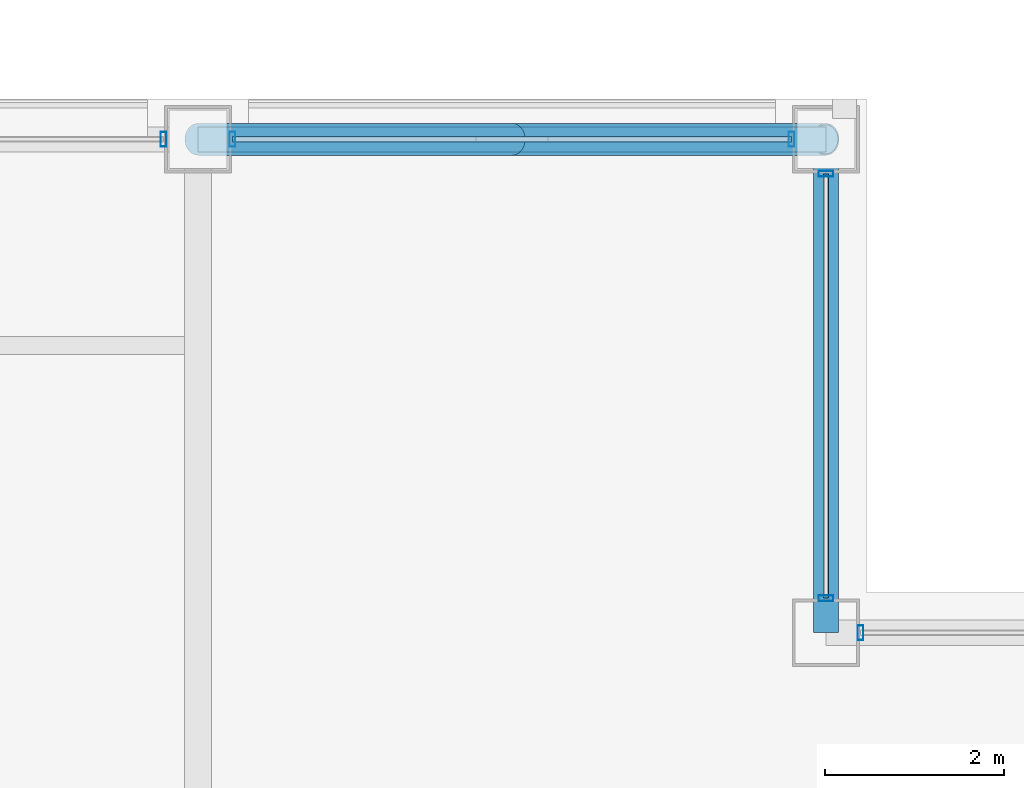
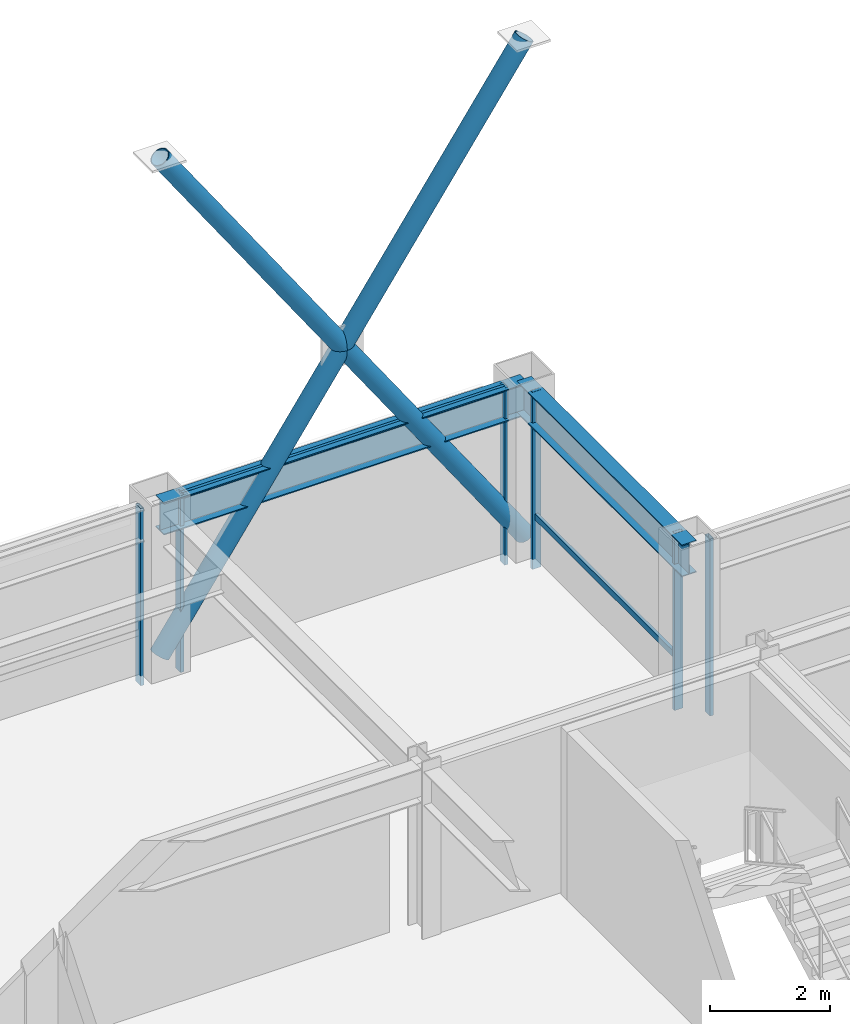
# One storey, part 23 of 32: 11 members, 2 beams, 4 elements without a shape of their own.
"""IFC4 building model written with IfcOpenShell, lengths in metres."""

import ifcopenshell
import ifcopenshell.guid

model = None  # the IFC model being written
_history = None  # IfcOwnerHistory: only IFC2X3 demands one
_inside = {}  # id of a spatial element -> (the spatial element, [elements in it])
_under = {}  # id of a project, library or spatial element -> (it, [spatial elements below it])
_declared = {}  # id of a project -> (the project, [libraries it declares])
_typed = {}  # id of a type object -> (the type object, [elements of that type])
_made_of = {}  # id of a material, layer set ... -> (it, [elements and type objects made of it])


def new_model(schema):
    """Start an empty IFC model of exactly this schema.

    Asked for "IFC4X3", IfcOpenShell would pick the latest addendum, in which some entities
    have other attributes; the version numbers below select the first issue.
    IFC2X3 requires an IfcOwnerHistory on every rooted entity: one is made here for all.
    """
    global model, _history
    if schema == "IFC4X3":
        model = ifcopenshell.file(schema_version=(4, 3, 0, 0))
    else:
        model = ifcopenshell.file(schema=schema)
    _inside.clear()
    _under.clear()
    _declared.clear()
    _typed.clear()
    _made_of.clear()
    _history = None
    if model.schema == "IFC2X3":
        org = make("IfcOrganization", Name="unknown")
        user = make(
            "IfcPersonAndOrganization",
            ThePerson=make("IfcPerson", FamilyName="unknown"),
            TheOrganization=org,
        )
        app = make(
            "IfcApplication",
            ApplicationDeveloper=org,
            Version="unknown",
            ApplicationFullName="unknown",
            ApplicationIdentifier="unknown",
        )
        _history = make(
            "IfcOwnerHistory",
            OwningUser=user,
            OwningApplication=app,
            ChangeAction="ADDED",
            CreationDate=0,
        )
    return model


def make(cls, **values):
    """One entity of the class cls with the attributes given. An attribute that is None is left unset."""
    return model.create_entity(
        cls, **{name: value for name, value in values.items() if value is not None}
    )


def rooted(cls, **values):
    """An entity with a GlobalId (a new one), such as an element, a storey or a relation."""
    return make(cls, GlobalId=ifcopenshell.guid.new(), OwnerHistory=_history, **values)


def si_unit(unit_type, name, prefix=None):
    """IfcSIUnit, for example si_unit("LENGTHUNIT", "METRE", prefix="MILLI")."""
    return make("IfcSIUnit", UnitType=unit_type, Prefix=prefix, Name=name)


def assignment(units):
    """IfcUnitAssignment: the units of a project."""
    return None if units is None else make("IfcUnitAssignment", Units=units)


def point(xyz):
    """IfcCartesianPoint."""
    return None if xyz is None else make("IfcCartesianPoint", Coordinates=xyz)


def direction(xyz):
    """IfcDirection."""
    return None if xyz is None else make("IfcDirection", DirectionRatios=xyz)


def frame(location, z_axis=None, x_axis=None):
    """IfcAxis2Placement3D, a coordinate frame: its origin and axes. An axis left out is left unset."""
    return make(
        "IfcAxis2Placement3D",
        Location=point(location),
        Axis=direction(z_axis),
        RefDirection=direction(x_axis),
    )


def frame_2d(location, x_axis=None):
    """IfcAxis2Placement2D, a coordinate frame in the plane: its origin and x axis."""
    return make(
        "IfcAxis2Placement2D", Location=point(location), RefDirection=direction(x_axis)
    )


def origin():
    """The frame at (0, 0, 0) with its axes left unset."""
    return frame((0.0, 0.0, 0.0))


def origin_2d():
    """The frame at (0, 0) in the plane with its x axis left unset."""
    return frame_2d((0.0, 0.0))


def place(relative_to, where):
    """IfcLocalPlacement: puts the frame where relative to a parent placement (None: the world)."""
    return make(
        "IfcLocalPlacement", PlacementRelTo=relative_to, RelativePlacement=where
    )


def context(
    kind, dimensions, precision=None, world=None, true_north=None, identifier=None
):
    """IfcGeometricRepresentationContext, for example the 3D "Model" context."""
    return make(
        "IfcGeometricRepresentationContext",
        ContextIdentifier=identifier,
        ContextType=kind,
        CoordinateSpaceDimension=dimensions,
        Precision=precision,
        WorldCoordinateSystem=world,
        TrueNorth=true_north,
    )


def subcontext(parent, identifier, kind, view, scale=None):
    """IfcGeometricRepresentationSubContext, for example "Body" below "Model"."""
    return make(
        "IfcGeometricRepresentationSubContext",
        ContextIdentifier=identifier,
        ContextType=kind,
        ParentContext=parent,
        TargetScale=scale,
        TargetView=view,
    )


def project(units=None, contexts=None):
    """IfcProject with its units and contexts."""
    return rooted(
        "IfcProject",
        Name="project",
        RepresentationContexts=contexts,
        UnitsInContext=assignment(units),
    )


def spatial(cls, under=None, at=None, **own):
    """A site, building, storey or space (cls), placed at a placement, below another one or the project."""
    s = rooted(cls, ObjectPlacement=at, **own)
    if under is not None:
        _under.setdefault(under.id(), (under, []))[1].append(s)
    return s


def profile(cls, at=None, kind="AREA", **sizes):
    """A parametric profile (cls). Its sizes go by their IFC names, for example OverallWidth=200.0."""
    return make(cls, ProfileType=kind, Position=at, **sizes)


def hollow_rectangle(**sizes):
    """IfcRectangleHollowProfileDef."""
    return profile("IfcRectangleHollowProfileDef", **sizes)


def hollow_circle(**sizes):
    """IfcCircleHollowProfileDef."""
    return profile("IfcCircleHollowProfileDef", **sizes)


def i_section(**sizes):
    """IfcIShapeProfileDef."""
    return profile("IfcIShapeProfileDef", **sizes)


def extrude(swept, where, along, depth):
    """IfcExtrudedAreaSolid: the profile swept, set in the frame where, extruded along a direction by depth."""
    return make(
        "IfcExtrudedAreaSolid",
        SweptArea=swept,
        Position=where,
        ExtrudedDirection=direction(along),
        Depth=depth,
    )


def shape(context_of_items, identifier, shape_type, items):
    """IfcShapeRepresentation: the items that make up one representation, for example the "Body"."""
    return make(
        "IfcShapeRepresentation",
        ContextOfItems=context_of_items,
        RepresentationIdentifier=identifier,
        RepresentationType=shape_type,
        Items=items,
    )


def material(Name=None, Category=None):
    """IfcMaterial."""
    return make("IfcMaterial", Name=Name, Category=Category)


def layer(
    of_material, thickness, ventilated=None, Name=None, Category=None, Priority=None
):
    """IfcMaterialLayer: one layer of a wall or slab, of a material (None: an air gap)."""
    return make(
        "IfcMaterialLayer",
        Material=of_material,
        LayerThickness=thickness,
        IsVentilated=ventilated,
        Name=Name,
        Category=Category,
        Priority=Priority,
    )


def layer_set(layers, Name=None):
    """IfcMaterialLayerSet."""
    return make("IfcMaterialLayerSet", MaterialLayers=layers, LayerSetName=Name)


def material_profile(
    of_material, cross_section, Name=None, Category=None, Priority=None
):
    """IfcMaterialProfile: a cross section and its material."""
    return make(
        "IfcMaterialProfile",
        Name=Name,
        Material=of_material,
        Profile=cross_section,
        Priority=Priority,
        Category=Category,
    )


def profile_set(profiles, Name=None, composite=None):
    """IfcMaterialProfileSet."""
    return make(
        "IfcMaterialProfileSet",
        Name=Name,
        MaterialProfiles=profiles,
        CompositeProfile=composite,
    )


def made_of(thing, what):
    """Note that an element or type object is made of a material, layer set ...; save() writes the relation."""
    if what is not None:
        _made_of.setdefault(what.id(), (what, []))[1].append(thing)
    return thing


def type_object(cls, material=None, **own):
    """A type object (cls), such as IfcWallType, which elements share."""
    return made_of(rooted(cls, **own), material)


def element(
    cls,
    number,
    at=None,
    inside=None,
    cuts=None,
    type_object=None,
    material=None,
    context=None,
    identifier="Body",
    shape_type=None,
    held_by="IfcProductDefinitionShape",
    body=None,
    shapes=None,
    **own,
):
    """One element of the class cls, such as IfcWall. Its Tag is "e" and its number.

    at: its placement. inside: the storey or other place that contains it. cuts: it is an
    opening in that element (IfcRelVoidsElement). A single representation is given by context,
    identifier, shape_type and body (its items); several are given by shapes. held_by: the class
    of the entity that holds the representations. save() writes the other relations.
    """
    e = rooted(cls, Tag="e%d" % number, ObjectPlacement=at, **own)
    if body is not None:
        shapes = [shape(context, identifier, shape_type, body)]
    if shapes is not None:
        e.Representation = make(held_by, Representations=shapes)
    if inside is not None:
        _inside.setdefault(inside.id(), (inside, []))[1].append(e)
    if cuts is not None:
        rooted(
            "IfcRelVoidsElement", RelatingBuildingElement=cuts, RelatedOpeningElement=e
        )
    if type_object is not None:
        _typed.setdefault(type_object.id(), (type_object, []))[1].append(e)
    return made_of(e, material)


def aggregate(whole, parts):
    """IfcRelAggregates: a whole, such as a stair, and the parts it consists of."""
    return rooted("IfcRelAggregates", RelatingObject=whole, RelatedObjects=parts)


def save(model, path):
    """Write the relations noted so far, then the file.

    IfcRelAggregates (storeys below a building ...), IfcRelContainedInSpatialStructure (elements
    in a storey), IfcRelDefinesByType, IfcRelAssociatesMaterial and IfcRelDeclares: one each for
    every whole, place, type object, material and project.
    """
    for whole, parts in _under.values():
        aggregate(whole, parts)
    for where, things in _inside.values():
        rooted(
            "IfcRelContainedInSpatialStructure",
            RelatedElements=things,
            RelatingStructure=where,
        )
    for kind, things in _typed.values():
        rooted("IfcRelDefinesByType", RelatedObjects=things, RelatingType=kind)
    for what, things in _made_of.values():
        rooted("IfcRelAssociatesMaterial", RelatedObjects=things, RelatingMaterial=what)
    for by, libraries in _declared.values():
        rooted("IfcRelDeclares", RelatingContext=by, RelatedDefinitions=libraries)
    model.write(path)


model = new_model("IFC4")

# Units and contexts
model_context = context("Model", 3, precision=1e-05, world=origin(), true_north=direction((0.0, 1.0)))
body_context = subcontext(model_context, "Body", "Model", "MODEL_VIEW")
ifc_project = project(units=[si_unit("LENGTHUNIT", "METRE"), si_unit("AREAUNIT", "SQUARE_METRE"), si_unit("VOLUMEUNIT", "CUBIC_METRE"), si_unit("PLANEANGLEUNIT", "RADIAN"), si_unit("MASSUNIT", "GRAM", prefix="KILO")], contexts=[model_context])

# Site, building, storey
site_placement = place(None, origin())
site = spatial("IfcSite", under=ifc_project, at=site_placement, CompositionType="ELEMENT")
building_placement = place(site_placement, origin())
building = spatial("IfcBuilding", under=site, at=building_placement, Name="Brelmoor Portico Tower", CompositionType="ELEMENT")
storey_placement = place(building_placement, frame((0.0, 0.0, 162.300048828125)))
storey = spatial("IfcBuildingStorey", under=building, at=storey_placement, Name="L42", CompositionType="ELEMENT", Elevation=162.300048828125)

# Beams
ifc_material_1 = material(Name="Steel Q355B", Category="steel")
ifc_material_profile_1 = material_profile(ifc_material_1, i_section(OverallWidth=0.280029296875, OverallDepth=0.64990234375, WebThickness=0.012939453125, FlangeThickness=0.02197265625, at=origin_2d()), Name="HN 650x280x13x22")
ifc_profile_set_1 = profile_set([ifc_material_profile_1], Name="Steel Q355B")
beam_type = type_object("IfcBeamType", Name="BM-SP-650", PredefinedType="SPANDREL", material=ifc_profile_set_1)
beam_1_placement = place(storey_placement, frame((8.050048828125, 18.550048828125, 3.074951171875), z_axis=(1.0, 0.0, 0.0), x_axis=(0.0, 1.0, 0.0)))
element("IfcBeam", 1, at=beam_1_placement, inside=storey, type_object=beam_type, Name="L42 Perimeter Spandrel Beam SP-10", PredefinedType="SPANDREL", context=body_context, shape_type="SweptSolid", body=[
    extrude(i_section(OverallWidth=0.280029296875, OverallDepth=0.64990234375, WebThickness=0.012939453125, FlangeThickness=0.02197265625, at=origin_2d()), origin(), (0.0, 0.0, 1.0), 7.0),
])
beam_2_placement = place(storey_placement, frame((15.050048828125, 13.050048828125, 3.074951171875), z_axis=(0.0, 1.0, 0.0), x_axis=(-1.0, 0.0, 0.0)))
element("IfcBeam", 2, at=beam_2_placement, inside=storey, type_object=beam_type, Name="L42 Perimeter Spandrel Beam SP-17", PredefinedType="SPANDREL", context=body_context, shape_type="SweptSolid", body=[
    extrude(i_section(OverallWidth=0.280029296875, OverallDepth=0.64990234375, WebThickness=0.012939453125, FlangeThickness=0.02197265625, at=origin_2d()), origin(), (0.0, 0.0, 1.0), 5.5),
])

# Members
ifc_material_profile_2 = material_profile(ifc_material_1, hollow_circle(Radius=0.177978515625, WallThickness=0.01611328125, at=origin_2d()), Name="CHS 356x16")
ifc_profile_set_2 = profile_set([ifc_material_profile_2], Name="Steel Q355B")
member_type_1 = type_object("IfcMemberType", Name="MB-BELT-DIAG2", PredefinedType="BRACE", material=ifc_profile_set_2)
member_1_placement = place(storey_placement, frame((8.050048828125, 18.550048828125, 0.25), z_axis=(0.569638640345, 0.0, 0.821895260618), x_axis=(0.0, 1.0, 0.0)))
element("IfcMember", 3, at=member_1_placement, inside=storey, type_object=member_type_1, Name="L42 Continuous Mega-X Brace 093A", PredefinedType="BRACE", context=body_context, shape_type="SweptSolid", body=[
    extrude(hollow_circle(Radius=0.177978515625, WallThickness=0.01611328125, at=origin_2d()), origin(), (0.0, 0.0, 1.0), 12.28857421875),
])
member_2_placement = place(storey_placement, frame((15.050048828125, 18.550048828125, 0.25), z_axis=(-0.569629338867, 0.0, 0.821901707203), x_axis=(0.0, -1.0, 0.0)))
element("IfcMember", 4, at=member_2_placement, inside=storey, type_object=member_type_1, Name="L42 Split Mega-X Brace 093B1", PredefinedType="BRACE", context=body_context, shape_type="SweptSolid", body=[
    extrude(hollow_circle(Radius=0.177978515625, WallThickness=0.01611328125, at=origin_2d()), origin(), (0.0, 0.0, 1.0), 6.144287109375),
])
member_3_placement = place(storey_placement, frame((11.550048828125, 18.550048828125, 5.300048828125), z_axis=(-0.569647942054, 0.0, 0.821888813717), x_axis=(0.0, -1.0, 0.0)))
element("IfcMember", 5, at=member_3_placement, inside=storey, type_object=member_type_1, Name="L42 Split Mega-X Brace 093B2", PredefinedType="BRACE", context=body_context, shape_type="SweptSolid", body=[
    extrude(hollow_circle(Radius=0.177978515625, WallThickness=0.01611328125, at=origin_2d()), origin(), (0.0, 0.0, 1.0), 6.14404296875),
])

# Curtain wall, member
ifc_material_2 = material(Name="Anodised Aluminium Alloy 6063-T6", Category="aluminium")
ifc_layer_1 = layer(ifc_material_2, 0.179931640625)
ifc_layer_set_1 = layer_set([ifc_layer_1], Name="Anodised Aluminium Alloy 6063-T6")
curtain_wall_type_1 = type_object("IfcCurtainWallType", Name="CW-TOWER-Z3", PredefinedType="NOTDEFINED", material=ifc_layer_set_1)
curtain_wall_1_placement = place(storey_placement, origin())
curtain_wall_1 = element("IfcCurtainWall", 6, at=curtain_wall_1_placement, inside=storey, type_object=curtain_wall_type_1, Name="L42 Curtain Wall CW-L42-2R-1", PredefinedType="NOTDEFINED")
ifc_material_profile_3 = material_profile(ifc_material_2, hollow_rectangle(XDim=0.06494140625, YDim=0.1650390625, WallThickness=0.00390625, at=origin_2d()), Name="ALU MULLION 65x165")
ifc_profile_set_3 = profile_set([ifc_material_profile_3], Name="Anodised Aluminium Alloy 6063-T6")
member_type_2 = type_object("IfcMemberType", Name="MB-CW-MULL-165", PredefinedType="MULLION", material=ifc_profile_set_3)
member_4_placement = place(storey_placement, frame((7.6650390625, 18.550048828125, -0.199951171875), z_axis=(0.0, 0.0, 1.0), x_axis=(1.0, 0.0, 0.0)))
member_4 = element("IfcMember", 7, at=member_4_placement, type_object=member_type_2, Name="CW-L42-2R-1 Mullion 01", PredefinedType="MULLION", context=body_context, shape_type="SweptSolid", body=[
    extrude(hollow_rectangle(XDim=0.06494140625, YDim=0.1650390625, WallThickness=0.00390625, at=origin_2d()), origin(), (0.0, 0.0, 1.0), 3.599853515625),
])
aggregate(curtain_wall_1, [member_4])

# Curtain wall, members
ifc_layer_2 = layer(ifc_material_2, 0.179931640625)
ifc_layer_set_2 = layer_set([ifc_layer_2], Name="Anodised Aluminium Alloy 6063-T6")
curtain_wall_type_2 = type_object("IfcCurtainWallType", Name="CW-TOWER-Z3-XB", PredefinedType="NOTDEFINED", material=ifc_layer_set_2)
curtain_wall_2_placement = place(storey_placement, origin())
curtain_wall_2 = element("IfcCurtainWall", 8, at=curtain_wall_2_placement, inside=storey, type_object=curtain_wall_type_2, Name="L42 Curtain Wall CW-L42-2R-2", PredefinedType="NOTDEFINED")
member_5_placement = place(storey_placement, frame((8.43505859375, 18.550048828125, -0.199951171875), z_axis=(0.0, 0.0, 1.0), x_axis=(1.0, 0.0, 0.0)))
member_5 = element("IfcMember", 9, at=member_5_placement, type_object=member_type_2, Name="CW-L42-2R-2 Mullion 00", PredefinedType="MULLION", context=body_context, shape_type="SweptSolid", body=[
    extrude(hollow_rectangle(XDim=0.06494140625, YDim=0.1650390625, WallThickness=0.00390625, at=origin_2d()), origin(), (0.0, 0.0, 1.0), 3.599853515625),
])
member_6_placement = place(storey_placement, frame((14.6650390625, 18.550048828125, -0.199951171875), z_axis=(0.0, 0.0, 1.0), x_axis=(1.0, 0.0, 0.0)))
member_6 = element("IfcMember", 10, at=member_6_placement, type_object=member_type_2, Name="CW-L42-2R-2 Mullion 01", PredefinedType="MULLION", context=body_context, shape_type="SweptSolid", body=[
    extrude(hollow_rectangle(XDim=0.06494140625, YDim=0.1650390625, WallThickness=0.00390625, at=origin_2d()), origin(), (0.0, 0.0, 1.0), 3.599853515625),
])

# Curtain wall, member
ifc_layer_3 = layer(ifc_material_2, 0.179931640625)
ifc_layer_set_3 = layer_set([ifc_layer_3], Name="Anodised Aluminium Alloy 6063-T6")
curtain_wall_type_3 = type_object("IfcCurtainWallType", Name="CW-NOTCH-CHAMFER", PredefinedType="NOTDEFINED", material=ifc_layer_set_3)
curtain_wall_3_placement = place(storey_placement, origin())
curtain_wall_3 = element("IfcCurtainWall", 11, at=curtain_wall_3_placement, inside=storey, type_object=curtain_wall_type_3, Name="L42 Curtain Wall CWN-L42-NEH", PredefinedType="NOTDEFINED")
member_7_placement = place(storey_placement, frame((15.43505859375, 13.050048828125, -0.199951171875), z_axis=(0.0, 0.0, 1.0), x_axis=(1.0, 0.0, 0.0)))
member_7 = element("IfcMember", 12, at=member_7_placement, type_object=member_type_2, Name="CWN-L42-NEH Mullion 00", PredefinedType="MULLION", context=body_context, shape_type="SweptSolid", body=[
    extrude(hollow_rectangle(XDim=0.06494140625, YDim=0.1650390625, WallThickness=0.00390625, at=origin_2d()), origin(), (0.0, 0.0, 1.0), 3.599853515625),
])
aggregate(curtain_wall_3, [member_7])

# Curtain wall, members
curtain_wall_4_placement = place(storey_placement, origin())
curtain_wall_4 = element("IfcCurtainWall", 13, at=curtain_wall_4_placement, inside=storey, type_object=curtain_wall_type_3, Name="L42 Curtain Wall CWN-L42-NEV", PredefinedType="NOTDEFINED")
member_8_placement = place(storey_placement, frame((15.050048828125, 13.43505859375, -0.199951171875), z_axis=(0.0, 0.0, 1.0), x_axis=(0.0, 1.0, 0.0)))
member_8 = element("IfcMember", 14, at=member_8_placement, type_object=member_type_2, Name="CWN-L42-NEV Mullion 00", PredefinedType="MULLION", context=body_context, shape_type="SweptSolid", body=[
    extrude(hollow_rectangle(XDim=0.06494140625, YDim=0.1650390625, WallThickness=0.00390625, at=origin_2d()), origin(), (0.0, 0.0, 1.0), 3.599853515625),
])
member_9_placement = place(storey_placement, frame((15.050048828125, 18.1650390625, -0.199951171875), z_axis=(0.0, 0.0, 1.0), x_axis=(0.0, 1.0, 0.0)))
member_9 = element("IfcMember", 15, at=member_9_placement, type_object=member_type_2, Name="CWN-L42-NEV Mullion 01", PredefinedType="MULLION", context=body_context, shape_type="SweptSolid", body=[
    extrude(hollow_rectangle(XDim=0.06494140625, YDim=0.1650390625, WallThickness=0.00390625, at=origin_2d()), origin(), (0.0, 0.0, 1.0), 3.599853515625),
])

# Member
ifc_material_profile_4 = material_profile(ifc_material_2, hollow_rectangle(XDim=0.06005859375, YDim=0.125, WallThickness=0.00341796875, at=origin_2d()), Name="ALU TRANSOM 60x125")
ifc_profile_set_4 = profile_set([ifc_material_profile_4], Name="Anodised Aluminium Alloy 6063-T6")
member_type_3 = type_object("IfcMemberType", Name="MB-CW-TRAN-125", PredefinedType="USERDEFINED", material=ifc_profile_set_4)
member_10_placement = place(storey_placement, frame((8.43505859375, 18.550048828125, 3.33740234375), z_axis=(1.0, 0.0, 0.0), x_axis=(0.0, 1.0, 0.0)))
member_10 = element("IfcMember", 16, at=member_10_placement, type_object=member_type_3, Name="CW-L42-2R-2 Transom 1-00", ObjectType="TRANSOM", PredefinedType="USERDEFINED", context=body_context, shape_type="SweptSolid", body=[
    extrude(hollow_rectangle(XDim=0.06005859375, YDim=0.125, WallThickness=0.00341796875, at=origin_2d()), origin(), (0.0, 0.0, 1.0), 6.22998046875),
])

aggregate(curtain_wall_2, [member_5, member_6, member_10])

member_11_placement = place(storey_placement, frame((15.050048828125, 13.43505859375, 0.849853515625), z_axis=(0.0, 1.0, 0.0), x_axis=(-1.0, 0.0, 0.0)))
member_11 = element("IfcMember", 17, at=member_11_placement, type_object=member_type_3, Name="CWN-L42-NEV Transom 1-00", ObjectType="TRANSOM", PredefinedType="USERDEFINED", context=body_context, shape_type="SweptSolid", body=[
    extrude(hollow_rectangle(XDim=0.06005859375, YDim=0.125, WallThickness=0.00341796875, at=origin_2d()), origin(), (0.0, 0.0, 1.0), 4.72998046875),
])

aggregate(curtain_wall_4, [member_8, member_9, member_11])

save(model, "model.ifc")
